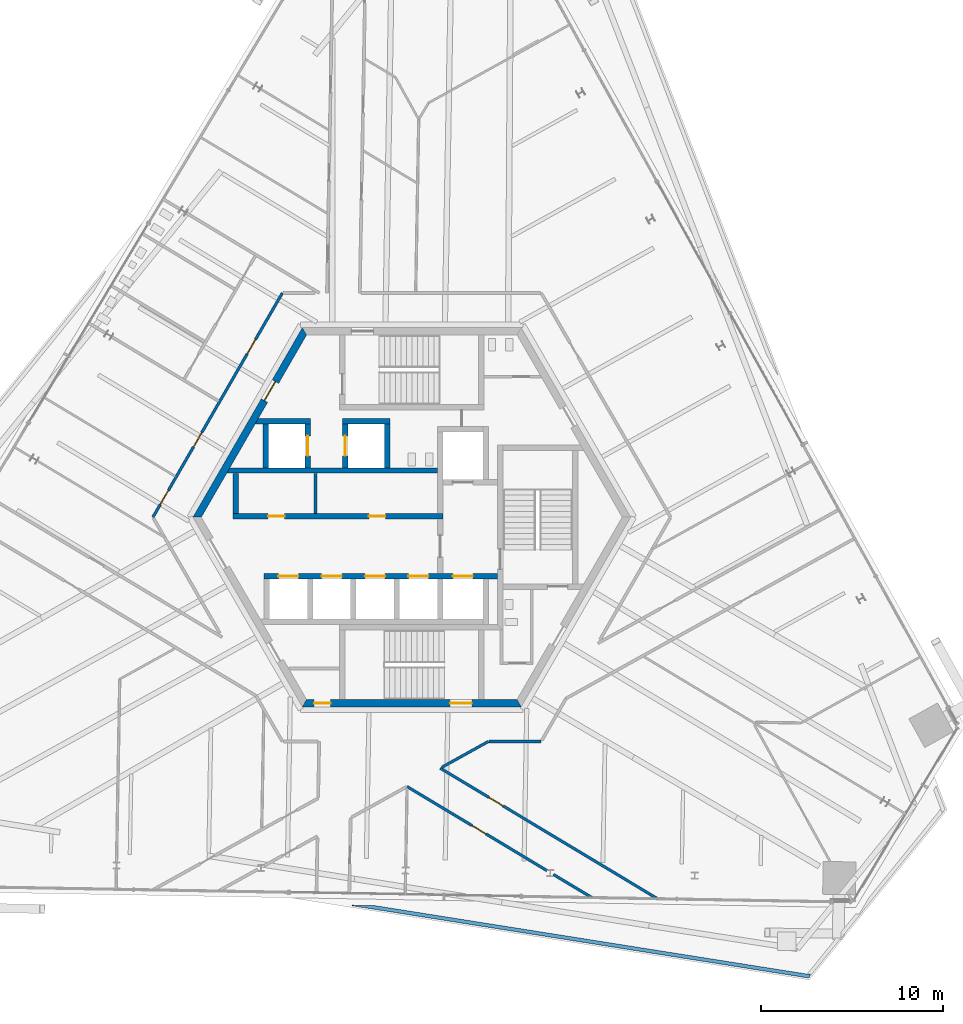
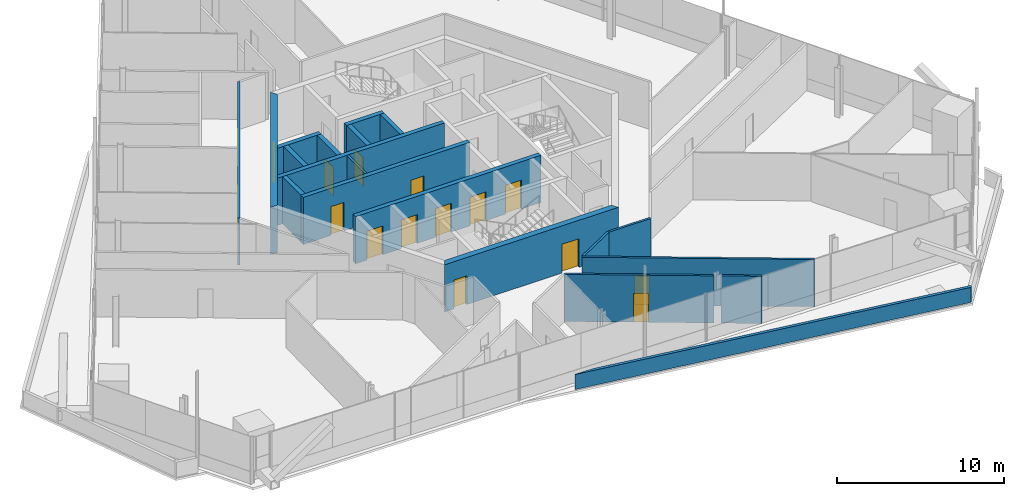
# One storey, part 15 of 22: 20 walls, 17 doors, 17 openings.
"""IFC4 building model written with IfcOpenShell, lengths in metres."""

from ifc_helpers import new_model, si_unit, direction, frame, frame_2d, origin, place, context, subcontext, project, spatial, polyline, rectangle, outline, extrude, source, transform, mapped, material, layer, layer_set, type_object, element, fill, save


model = new_model("IFC4")

# Units and contexts
model_context = context("Model", 3, precision=1e-05, world=origin(), true_north=direction((0.0, 1.0)))
body_context = subcontext(model_context, "Body", "Model", "MODEL_VIEW")
ifc_project = project(units=[si_unit("LENGTHUNIT", "METRE"), si_unit("AREAUNIT", "SQUARE_METRE"), si_unit("VOLUMEUNIT", "CUBIC_METRE"), si_unit("PLANEANGLEUNIT", "RADIAN"), si_unit("MASSUNIT", "GRAM", prefix="KILO")], contexts=[model_context])

# Site, building, storey
site_placement = place(None, origin())
site = spatial("IfcSite", under=ifc_project, at=site_placement, CompositionType="ELEMENT")
building_placement = place(site_placement, origin())
building = spatial("IfcBuilding", under=site, at=building_placement, Name="Triune Harvest Tower", CompositionType="ELEMENT")
storey_placement = place(building_placement, frame((0.0, 0.0, 179.89990234375)))
storey = spatial("IfcBuildingStorey", under=building, at=storey_placement, Name="L46", CompositionType="ELEMENT", Elevation=179.89990234375)

# Wall, opening, door
ifc_material_1 = material(Name="Gypsum board on steel studs", Category="steel")
ifc_layer_1 = layer(ifc_material_1, 0.14990234375)
ifc_layer_set_1 = layer_set([ifc_layer_1], Name="Gypsum board on steel studs")
wall_type_1 = type_object("IfcWallType", Name="Fire Partition 150 mm", PredefinedType="PARTITIONING", material=ifc_layer_set_1)
wall_1_placement = place(storey_placement, frame((-0.2578125, -14.767333984375, 0.0), z_axis=(0.0, 0.0, 1.0), x_axis=(0.857170270936, -0.515033131578, 0.0)))
wall_1 = element("IfcWall", 1, at=wall_1_placement, inside=storey, type_object=wall_type_1, Name="Partition L46 008", PredefinedType="PARTITIONING", context=body_context, shape_type="SweptSolid", body=[
    extrude(rectangle(XDim=8.951171875, YDim=0.14990234375, at=frame_2d((4.4755859375, 0.0))), origin(), (0.0, 0.0, 1.0), 3.440185546875),
])
opening_1_placement = place(wall_1_placement, frame((4.14990234375, 0.0, 0.0)))
opening_1 = element("IfcOpeningElement", 2, at=opening_1_placement, cuts=wall_1, Name="Opening L46-022", PredefinedType="OPENING", context=body_context, shape_type="SweptSolid", body=[
    extrude(rectangle(XDim=0.89990234375, YDim=2.10009765625, at=frame_2d((0.449951171875, 1.050048828125))), frame((0.0, 0.0849609375, 0.0), z_axis=(0.0, -1.0, 0.0), x_axis=(1.0, 0.0, 0.0)), (0.0, 0.0, 1.0), 0.169921875),
])
ifc_material_2 = material(Name="Timber and steel door set", Category="steel")
door_type_1 = type_object("IfcDoorType", Name="Single leaf door FD30 left hand 900 x 2100", OperationType="SINGLE_SWING_LEFT", PredefinedType="DOOR", material=ifc_material_2)
door_1_placement = place(opening_1_placement, origin())
door_1 = element("IfcDoor", 3, at=door_1_placement, inside=storey, type_object=door_type_1, Name="Door L46-022 Dry Store Room 46.22", OperationType="SINGLE_SWING_LEFT", OverallHeight=2.10009765625, OverallWidth=0.89990234375, PredefinedType="DOOR", context=body_context, shape_type="SweptSolid", body=[
    extrude(rectangle(XDim=0.89990234375, YDim=2.10009765625, at=frame_2d((0.449951171875, 1.050048828125))), frame((0.0, 0.02490234375, 0.0), z_axis=(0.0, -1.0, 0.0), x_axis=(1.0, 0.0, 0.0)), (0.0, 0.0, 1.0), 0.050048828125),
])
fill(opening_1, door_1)

# Wall
wall_2_placement = place(storey_placement, frame((7.761962890625, -19.586181640625, 0.0), z_axis=(0.0, 0.0, 1.0), x_axis=(0.857177370327, -0.515021315868, 0.0)))
element("IfcWall", 4, at=wall_2_placement, inside=storey, type_object=wall_type_1, Name="Partition L46 009", PredefinedType="PARTITIONING", context=body_context, shape_type="SweptSolid", body=[
    extrude(rectangle(XDim=2.458740234375, YDim=0.14990234375, at=frame_2d((1.2294921875, 0.0))), origin(), (0.0, 0.0, 1.0), 3.440185546875),
])

# Wall, opening, door
wall_3_placement = place(storey_placement, frame((1.56005859375, -13.759765625, 0.0), z_axis=(0.0, 0.0, 1.0), x_axis=(0.857170249707, -0.515033166909, 0.0)))
wall_3 = element("IfcWall", 5, at=wall_3_placement, inside=storey, type_object=wall_type_1, Name="Partition L46 011", PredefinedType="PARTITIONING", context=body_context, shape_type="SweptSolid", body=[
    extrude(rectangle(XDim=13.893310546875, YDim=0.14990234375, at=frame_2d((6.94677734375, 0.0))), origin(), (0.0, 0.0, 1.0), 3.440185546875),
])
opening_2_placement = place(wall_3_placement, frame((3.125, 0.0, 0.0)))
opening_2 = element("IfcOpeningElement", 6, at=opening_2_placement, cuts=wall_3, Name="Opening L46-023", PredefinedType="OPENING", context=body_context, shape_type="SweptSolid", body=[
    extrude(rectangle(XDim=0.89990234375, YDim=2.10009765625, at=frame_2d((0.449951171875, 1.050048828125))), frame((0.0, 0.0849609375, 0.0), z_axis=(0.0, -1.0, 0.0), x_axis=(1.0, 0.0, 0.0)), (0.0, 0.0, 1.0), 0.169921875),
])
door_2_placement = place(opening_2_placement, origin())
door_2 = element("IfcDoor", 7, at=door_2_placement, inside=storey, type_object=door_type_1, Name="Door L46-023 Open Office 46.23", OperationType="SINGLE_SWING_LEFT", OverallHeight=2.10009765625, OverallWidth=0.89990234375, PredefinedType="DOOR", context=body_context, shape_type="SweptSolid", body=[
    extrude(rectangle(XDim=0.89990234375, YDim=2.10009765625, at=frame_2d((0.449951171875, 1.050048828125))), frame((0.0, 0.02490234375, 0.0), z_axis=(0.0, -1.0, 0.0), x_axis=(1.0, 0.0, 0.0)), (0.0, 0.0, 1.0), 0.050048828125),
])
fill(opening_2, door_2)

# Walls
wall_4_placement = place(storey_placement, frame((4.227294921875, -12.292236328125, 0.0), z_axis=(0.0, 0.0, 1.0), x_axis=(1.0, 0.0, 0.0)))
element("IfcWall", 8, at=wall_4_placement, inside=storey, type_object=wall_type_1, Name="Partition L46 030", PredefinedType="PARTITIONING", context=body_context, shape_type="SweptSolid", body=[
    extrude(rectangle(XDim=2.86962890625, YDim=0.14990234375, at=frame_2d((1.434814453125, 0.0))), origin(), (0.0, 0.0, 1.0), 3.440185546875),
])
wall_5_placement = place(storey_placement, frame((1.656494140625, -13.706298828125, 0.0), z_axis=(0.0, 0.0, 1.0), x_axis=(0.874618829719, 0.484811203152, 0.0)))
element("IfcWall", 9, at=wall_5_placement, inside=storey, type_object=wall_type_1, Name="Partition L46 037", PredefinedType="PARTITIONING", context=body_context, shape_type="SweptSolid", body=[
    extrude(rectangle(XDim=2.916748046875, YDim=0.14990234375, at=frame_2d((1.45849609375, 0.0))), origin(), (0.0, 0.0, 1.0), 3.440185546875),
])

# Wall, openings, doors
wall_6_placement = place(storey_placement, frame((-14.19384765625, 0.0, 0.0), z_axis=(0.0, 0.0, 1.0), x_axis=(0.499992439803, 0.866029768622, 0.0)))
wall_6 = element("IfcWall", 10, at=wall_6_placement, inside=storey, type_object=wall_type_1, Name="Partition L46 048", PredefinedType="PARTITIONING", context=body_context, shape_type="SweptSolid", body=[
    extrude(rectangle(XDim=14.194091796875, YDim=0.14990234375, at=frame_2d((7.09716796875, 0.0))), origin(), (0.0, 0.0, 1.0), 3.440185546875),
])
opening_3_placement = place(wall_6_placement, frame((10.343994140625, 0.0, 0.0)))
opening_3 = element("IfcOpeningElement", 11, at=opening_3_placement, cuts=wall_6, Name="Opening L46-010", PredefinedType="OPENING", context=body_context, shape_type="SweptSolid", body=[
    extrude(rectangle(XDim=0.89990234375, YDim=2.10009765625, at=frame_2d((0.449951171875, 1.050048828125))), frame((0.0, 0.0849609375, 0.0), z_axis=(0.0, -1.0, 0.0), x_axis=(1.0, 0.0, 0.0)), (0.0, 0.0, 1.0), 0.169921875),
])
opening_4_placement = place(wall_6_placement, frame((0.804443359375, 0.0, 0.0)))
opening_4 = element("IfcOpeningElement", 12, at=opening_4_placement, cuts=wall_6, Name="Opening L46-014", PredefinedType="OPENING", context=body_context, shape_type="SweptSolid", body=[
    extrude(rectangle(XDim=0.89990234375, YDim=2.10009765625, at=frame_2d((0.449951171875, 1.050048828125))), frame((0.0, 0.0849609375, 0.0), z_axis=(0.0, -1.0, 0.0), x_axis=(1.0, 0.0, 0.0)), (0.0, 0.0, 1.0), 0.169921875),
])
opening_5_placement = place(wall_6_placement, frame((4.46142578125, 0.0, 0.0)))
opening_5 = element("IfcOpeningElement", 13, at=opening_5_placement, cuts=wall_6, Name="Opening L46-015", PredefinedType="OPENING", context=body_context, shape_type="SweptSolid", body=[
    extrude(rectangle(XDim=0.89990234375, YDim=2.10009765625, at=frame_2d((0.449951171875, 1.050048828125))), frame((0.0, 0.0849609375, 0.0), z_axis=(0.0, -1.0, 0.0), x_axis=(1.0, 0.0, 0.0)), (0.0, 0.0, 1.0), 0.169921875),
])
door_3_placement = place(opening_4_placement, origin())
door_3 = element("IfcDoor", 14, at=door_3_placement, inside=storey, type_object=door_type_1, Name="Door L46-014 Office 46.14", OperationType="SINGLE_SWING_LEFT", OverallHeight=2.10009765625, OverallWidth=0.89990234375, PredefinedType="DOOR", context=body_context, shape_type="SweptSolid", body=[
    extrude(rectangle(XDim=0.89990234375, YDim=2.10009765625, at=frame_2d((0.449951171875, 1.050048828125))), frame((0.0, 0.02490234375, 0.0), z_axis=(0.0, -1.0, 0.0), x_axis=(1.0, 0.0, 0.0)), (0.0, 0.0, 1.0), 0.050048828125),
])
fill(opening_4, door_3)
door_4_placement = place(opening_5_placement, origin())
door_4 = element("IfcDoor", 15, at=door_4_placement, inside=storey, type_object=door_type_1, Name="Door L46-015 Office 46.15", OperationType="SINGLE_SWING_LEFT", OverallHeight=2.10009765625, OverallWidth=0.89990234375, PredefinedType="DOOR", context=body_context, shape_type="SweptSolid", body=[
    extrude(rectangle(XDim=0.89990234375, YDim=2.10009765625, at=frame_2d((0.449951171875, 1.050048828125))), frame((0.0, 0.02490234375, 0.0), z_axis=(0.0, -1.0, 0.0), x_axis=(1.0, 0.0, 0.0)), (0.0, 0.0, 1.0), 0.050048828125),
])
fill(opening_5, door_4)
ifc_material_3 = material(Name="Timber and steel door set", Category="steel")
door_type_2 = type_object("IfcDoorType", Name="Single leaf door FD30 right hand 900 x 2100", OperationType="SINGLE_SWING_RIGHT", PredefinedType="DOOR", material=ifc_material_3)
door_5_placement = place(opening_3_placement, origin())
door_5 = element("IfcDoor", 16, at=door_5_placement, inside=storey, type_object=door_type_2, Name="Door L46-010 WC lobby 46.10", OperationType="SINGLE_SWING_RIGHT", OverallHeight=2.10009765625, OverallWidth=0.89990234375, PredefinedType="DOOR", context=body_context, shape_type="SweptSolid", body=[
    extrude(rectangle(XDim=0.89990234375, YDim=2.10009765625, at=frame_2d((0.449951171875, 1.050048828125))), frame((0.0, 0.02490234375, 0.0), z_axis=(0.0, -1.0, 0.0), x_axis=(1.0, 0.0, 0.0)), (0.0, 0.0, 1.0), 0.050048828125),
])
fill(opening_3, door_5)

# Wall
ifc_material_4 = material(Name="Concrete 40 MPa", Category="concrete")
ifc_layer_2 = layer(ifc_material_4, 0.199951171875)
ifc_layer_set_2 = layer_set([ifc_layer_2], Name="Concrete 40 MPa")
wall_type_2 = type_object("IfcWallType", Name="PA-1 parapet 200", PredefinedType="PARAPET", material=ifc_layer_set_2)
wall_7_placement = place(storey_placement, origin())
element("IfcWall", 17, at=wall_7_placement, inside=storey, type_object=wall_type_2, Name="Parapet wedge L45 3.2", PredefinedType="PARAPET", context=body_context, shape_type="SweptSolid", body=[
    extrude(outline(polyline([(-3.285400390625, -21.299072265625), (-3.282958984375, -21.27294921875), (-2.033203125, -21.294921875), (21.6748046875, -25.0498046875), (21.689453125, -25.031982421875), (21.84912109375, -25.05712890625), (21.830322265625, -25.17578125), (21.7578125, -25.265380859375), (-3.285400390625, -21.299072265625)])), origin(), (0.0, 0.0, 1.0), 1.10009765625),
])

# Wall, opening, door
ifc_material_5 = material(Name="Concrete 70 MPa", Category="concrete")
ifc_layer_3 = layer(ifc_material_5, 0.39990234375)
ifc_layer_set_3 = layer_set([ifc_layer_3], Name="Concrete 70 MPa")
wall_type_3 = type_object("IfcWallType", Name="Core wall 400", PredefinedType="SHEAR", material=ifc_layer_set_3)
shared_shape_1 = source(origin(), body_context, "Body", "SweptSolid", [
    extrude(outline(polyline([(-0.115478515625, -0.199951171875), (11.884521484375, -0.199951171875), (11.653564453125, 0.199951171875), (0.115478515625, 0.199951171875), (-0.115478515625, -0.199951171875)])), origin(), (0.0, 0.0, 1.0), 3.440185546875),
])
wall_8_placement = place(storey_placement, frame((-5.884521484375, 10.1923828125, 0.0), z_axis=(0.0, 0.0, 1.0), x_axis=(-0.499996592174, -0.866027371285, 0.0)))
wall_8 = element("IfcWall", 18, at=wall_8_placement, inside=storey, type_object=wall_type_3, Name="Hexagon 2 wall", PredefinedType="SHEAR", context=body_context, shape_type="MappedRepresentation", body=[
    mapped(shared_shape_1, transform((0.0, 0.0, 0.0), scale=1.0)),
])
opening_6_placement = place(wall_8_placement, frame((3.1845703125, 0.0, 0.0)))
opening_6 = element("IfcOpeningElement", 19, at=opening_6_placement, cuts=wall_8, Name="Opening CD-SVP", PredefinedType="OPENING", context=body_context, shape_type="SweptSolid", body=[
    extrude(rectangle(XDim=1.199951171875, YDim=2.10009765625, at=frame_2d((0.60009765625, 1.050048828125))), frame((0.0, 0.2099609375, 0.0), z_axis=(0.0, -1.0, 0.0), x_axis=(1.0, 0.0, 0.0)), (0.0, 0.0, 1.0), 0.419921875),
])
ifc_material_6 = material(Name="Steel S235", Category="steel")
door_type_3 = type_object("IfcDoorType", Name="Service door 1200 FD120", OperationType="SINGLE_SWING_LEFT", PredefinedType="DOOR", material=ifc_material_6)
door_6_placement = place(opening_6_placement, frame((1.199951171875, 0.0, 0.0), z_axis=(0.0, 0.0, 1.0), x_axis=(-1.0, 0.0, 0.0)))
door_6 = element("IfcDoor", 20, at=door_6_placement, inside=storey, type_object=door_type_3, Name="Door CD-SVP", OperationType="SINGLE_SWING_RIGHT", OverallHeight=2.10009765625, OverallWidth=1.199951171875, PredefinedType="DOOR", context=body_context, shape_type="SweptSolid", body=[
    extrude(rectangle(XDim=1.199951171875, YDim=2.10009765625, at=frame_2d((0.60009765625, 1.050048828125))), frame((0.0, 0.02490234375, 0.0), z_axis=(0.0, -1.0, 0.0), x_axis=(1.0, 0.0, 0.0)), (0.0, 0.0, 1.0), 0.050048828125),
])
fill(opening_6, door_6)

# Wall, openings, doors
wall_9_placement = place(storey_placement, frame((-5.884521484375, -10.1923828125, 0.0), z_axis=(0.0, 0.0, 1.0), x_axis=(1.0, 0.0, 0.0)))
wall_9 = element("IfcWall", 21, at=wall_9_placement, inside=storey, type_object=wall_type_3, Name="Hexagon 4 wall", PredefinedType="SHEAR", context=body_context, shape_type="MappedRepresentation", body=[
    mapped(shared_shape_1, transform((0.0, 0.0, 0.0), scale=1.0)),
])
opening_7_placement = place(wall_9_placement, frame((7.984619140625, 0.0, 0.0)))
opening_7 = element("IfcOpeningElement", 22, at=opening_7_placement, cuts=wall_9, Name="Opening CD-S2P", PredefinedType="OPENING", context=body_context, shape_type="SweptSolid", body=[
    extrude(rectangle(XDim=1.199951171875, YDim=2.10009765625, at=frame_2d((0.60009765625, 1.050048828125))), frame((0.0, 0.2099609375, 0.0), z_axis=(0.0, -1.0, 0.0), x_axis=(1.0, 0.0, 0.0)), (0.0, 0.0, 1.0), 0.419921875),
])
opening_8_placement = place(wall_9_placement, frame((0.534423828125, 0.0, 0.0)))
opening_8 = element("IfcOpeningElement", 23, at=opening_8_placement, cuts=wall_9, Name="Opening CD-SWS", PredefinedType="OPENING", context=body_context, shape_type="SweptSolid", body=[
    extrude(rectangle(XDim=0.89990234375, YDim=2.10009765625, at=frame_2d((0.449951171875, 1.050048828125))), frame((0.0, 0.2099609375, 0.0), z_axis=(0.0, -1.0, 0.0), x_axis=(1.0, 0.0, 0.0)), (0.0, 0.0, 1.0), 0.419921875),
])
ifc_material_7 = material(Name="Steel S235", Category="steel")
door_type_4 = type_object("IfcDoorType", Name="Riser door 900 FD120", OperationType="SINGLE_SWING_LEFT", PredefinedType="DOOR", material=ifc_material_7)
door_7_placement = place(opening_8_placement, frame((0.89990234375, 0.0, 0.0), z_axis=(0.0, 0.0, 1.0), x_axis=(-1.0, 0.0, 0.0)))
door_7 = element("IfcDoor", 24, at=door_7_placement, inside=storey, type_object=door_type_4, Name="Door CD-SWS", OperationType="SINGLE_SWING_RIGHT", OverallHeight=2.10009765625, OverallWidth=0.89990234375, PredefinedType="DOOR", context=body_context, shape_type="SweptSolid", body=[
    extrude(rectangle(XDim=0.89990234375, YDim=2.10009765625, at=frame_2d((0.449951171875, 1.050048828125))), frame((0.0, 0.02490234375, 0.0), z_axis=(0.0, -1.0, 0.0), x_axis=(1.0, 0.0, 0.0)), (0.0, 0.0, 1.0), 0.050048828125),
])
fill(opening_8, door_7)
ifc_material_8 = material(Name="Steel S235", Category="steel")
door_type_5 = type_object("IfcDoorType", Name="Stair door 1200 FD120", OperationType="SINGLE_SWING_LEFT", PredefinedType="DOOR", material=ifc_material_8)
door_8_placement = place(opening_7_placement, frame((1.199951171875, 0.0, 0.0), z_axis=(0.0, 0.0, 1.0), x_axis=(-1.0, 0.0, 0.0)))
door_8 = element("IfcDoor", 25, at=door_8_placement, inside=storey, type_object=door_type_5, Name="Door CD-S2P", OperationType="SINGLE_SWING_RIGHT", OverallHeight=2.10009765625, OverallWidth=1.199951171875, PredefinedType="DOOR", context=body_context, shape_type="SweptSolid", body=[
    extrude(rectangle(XDim=1.199951171875, YDim=2.10009765625, at=frame_2d((0.60009765625, 1.050048828125))), frame((0.0, 0.02490234375, 0.0), z_axis=(0.0, -1.0, 0.0), x_axis=(1.0, 0.0, 0.0)), (0.0, 0.0, 1.0), 0.050048828125),
])
fill(opening_7, door_8)

ifc_material_9 = material(Name="Concrete 70 MPa", Category="concrete")
ifc_layer_4 = layer(ifc_material_9, 0.300048828125)
ifc_layer_set_4 = layer_set([ifc_layer_4], Name="Concrete 70 MPa")
wall_type_4 = type_object("IfcWallType", Name="Core wall 300", PredefinedType="SHEAR", material=ifc_layer_set_4)
shared_shape_2 = source(origin(), body_context, "Body", "SweptSolid", [
    extrude(rectangle(XDim=11.5, YDim=0.300048828125, at=frame_2d((5.75, 0.0))), origin(), (0.0, 0.0, 1.0), 3.440185546875),
])
wall_10_placement = place(storey_placement, frame((-9.800048828125, 0.06005859375, 0.0), z_axis=(0.0, 0.0, 1.0), x_axis=(1.0, 0.0, 0.0)))
wall_10 = element("IfcWall", 26, at=wall_10_placement, inside=storey, type_object=wall_type_4, Name="North front wall", PredefinedType="SHEAR", context=body_context, shape_type="MappedRepresentation", body=[
    mapped(shared_shape_2, transform((0.0, 0.0, 0.0), scale=1.0)),
])
opening_9_placement = place(wall_10_placement, frame((1.922607421875, 0.0, 0.0)))
opening_9 = element("IfcOpeningElement", 27, at=opening_9_placement, cuts=wall_10, Name="Opening CD-RN1", PredefinedType="OPENING", context=body_context, shape_type="SweptSolid", body=[
    extrude(rectangle(XDim=0.89990234375, YDim=2.10009765625, at=frame_2d((0.449951171875, 1.050048828125))), frame((0.0, 0.16015625, 0.0), z_axis=(0.0, -1.0, 0.0), x_axis=(1.0, 0.0, 0.0)), (0.0, 0.0, 1.0), 0.320068359375),
])
opening_10_placement = place(wall_10_placement, frame((7.447509765625, 0.0, 0.0)))
opening_10 = element("IfcOpeningElement", 28, at=opening_10_placement, cuts=wall_10, Name="Opening CD-RN2", PredefinedType="OPENING", context=body_context, shape_type="SweptSolid", body=[
    extrude(rectangle(XDim=0.89990234375, YDim=2.10009765625, at=frame_2d((0.449951171875, 1.050048828125))), frame((0.0, 0.16015625, 0.0), z_axis=(0.0, -1.0, 0.0), x_axis=(1.0, 0.0, 0.0)), (0.0, 0.0, 1.0), 0.320068359375),
])
door_9_placement = place(opening_9_placement, frame((0.89990234375, 0.0, 0.0), z_axis=(0.0, 0.0, 1.0), x_axis=(-1.0, 0.0, 0.0)))
door_9 = element("IfcDoor", 29, at=door_9_placement, inside=storey, type_object=door_type_4, Name="Door CD-RN1", OperationType="SINGLE_SWING_RIGHT", OverallHeight=2.10009765625, OverallWidth=0.89990234375, PredefinedType="DOOR", context=body_context, shape_type="SweptSolid", body=[
    extrude(rectangle(XDim=0.89990234375, YDim=2.10009765625, at=frame_2d((0.449951171875, 1.050048828125))), frame((0.0, 0.02490234375, 0.0), z_axis=(0.0, -1.0, 0.0), x_axis=(1.0, 0.0, 0.0)), (0.0, 0.0, 1.0), 0.050048828125),
])
fill(opening_9, door_9)
door_10_placement = place(opening_10_placement, frame((0.89990234375, 0.0, 0.0), z_axis=(0.0, 0.0, 1.0), x_axis=(-1.0, 0.0, 0.0)))
door_10 = element("IfcDoor", 30, at=door_10_placement, inside=storey, type_object=door_type_4, Name="Door CD-RN2", OperationType="SINGLE_SWING_RIGHT", OverallHeight=2.10009765625, OverallWidth=0.89990234375, PredefinedType="DOOR", context=body_context, shape_type="SweptSolid", body=[
    extrude(rectangle(XDim=0.89990234375, YDim=2.10009765625, at=frame_2d((0.449951171875, 1.050048828125))), frame((0.0, 0.02490234375, 0.0), z_axis=(0.0, -1.0, 0.0), x_axis=(1.0, 0.0, 0.0)), (0.0, 0.0, 1.0), 0.050048828125),
])
fill(opening_10, door_10)

# Wall
shared_shape_3 = source(origin(), body_context, "Body", "SweptSolid", [
    extrude(outline(polyline([(11.199951171875, -0.14990234375), (-0.34912109375, -0.14990234375), (-0.17578125, 0.14990234375), (11.199951171875, 0.14990234375), (11.199951171875, -0.14990234375)])), origin(), (0.0, 0.0, 1.0), 3.440185546875),
])
wall_11_placement = place(storey_placement, frame((-9.800048828125, 2.56005859375, 0.0), z_axis=(0.0, 0.0, 1.0), x_axis=(1.0, 0.0, 0.0)))
element("IfcWall", 31, at=wall_11_placement, inside=storey, type_object=wall_type_4, Name="North back wall", PredefinedType="SHEAR", context=body_context, shape_type="MappedRepresentation", body=[
    mapped(shared_shape_3, transform((0.0, 0.0, 0.0), scale=1.0)),
])

# Wall, openings, doors
shared_shape_4 = source(origin(), body_context, "Body", "SweptSolid", [
    extrude(rectangle(XDim=12.800048828125, YDim=0.300048828125, at=frame_2d((6.39990234375, 0.0))), origin(), (0.0, 0.0, 1.0), 3.440185546875),
])
wall_12_placement = place(storey_placement, frame((-8.10009765625, -3.239990234375, 0.0), z_axis=(0.0, 0.0, 1.0), x_axis=(1.0, 0.0, 0.0)))
wall_12 = element("IfcWall", 32, at=wall_12_placement, inside=storey, type_object=wall_type_4, Name="South front wall", PredefinedType="SHEAR", context=body_context, shape_type="MappedRepresentation", body=[
    mapped(shared_shape_4, transform((0.0, 0.0, 0.0), scale=1.0)),
])
opening_11_placement = place(wall_12_placement, frame((0.78759765625, 0.0, 0.0)))
opening_11 = element("IfcOpeningElement", 33, at=opening_11_placement, cuts=wall_12, Name="Opening LD-HR1-46", PredefinedType="OPENING", context=body_context, shape_type="SweptSolid", body=[
    extrude(rectangle(XDim=1.10009765625, YDim=2.10009765625, at=frame_2d((0.550048828125, 1.050048828125))), frame((0.0, 0.16015625, 0.0), z_axis=(0.0, -1.0, 0.0), x_axis=(1.0, 0.0, 0.0)), (0.0, 0.0, 1.0), 0.320068359375),
])
opening_12_placement = place(wall_12_placement, frame((3.16259765625, 0.0, 0.0)))
opening_12 = element("IfcOpeningElement", 34, at=opening_12_placement, cuts=wall_12, Name="Opening LD-HR2-46", PredefinedType="OPENING", context=body_context, shape_type="SweptSolid", body=[
    extrude(rectangle(XDim=1.10009765625, YDim=2.10009765625, at=frame_2d((0.550048828125, 1.050048828125))), frame((0.0, 0.16015625, 0.0), z_axis=(0.0, -1.0, 0.0), x_axis=(1.0, 0.0, 0.0)), (0.0, 0.0, 1.0), 0.320068359375),
])
opening_13_placement = place(wall_12_placement, frame((5.53759765625, 0.0, 0.0)))
opening_13 = element("IfcOpeningElement", 35, at=opening_13_placement, cuts=wall_12, Name="Opening LD-HR3-46", PredefinedType="OPENING", context=body_context, shape_type="SweptSolid", body=[
    extrude(rectangle(XDim=1.10009765625, YDim=2.10009765625, at=frame_2d((0.550048828125, 1.050048828125))), frame((0.0, 0.16015625, 0.0), z_axis=(0.0, -1.0, 0.0), x_axis=(1.0, 0.0, 0.0)), (0.0, 0.0, 1.0), 0.320068359375),
])
opening_14_placement = place(wall_12_placement, frame((7.91259765625, 0.0, 0.0)))
opening_14 = element("IfcOpeningElement", 36, at=opening_14_placement, cuts=wall_12, Name="Opening LD-HR4-46", PredefinedType="OPENING", context=body_context, shape_type="SweptSolid", body=[
    extrude(rectangle(XDim=1.10009765625, YDim=2.10009765625, at=frame_2d((0.550048828125, 1.050048828125))), frame((0.0, 0.16015625, 0.0), z_axis=(0.0, -1.0, 0.0), x_axis=(1.0, 0.0, 0.0)), (0.0, 0.0, 1.0), 0.320068359375),
])
opening_15_placement = place(wall_12_placement, frame((10.35009765625, 0.0, 0.0)))
opening_15 = element("IfcOpeningElement", 37, at=opening_15_placement, cuts=wall_12, Name="Opening LD-FF2-46", PredefinedType="OPENING", context=body_context, shape_type="SweptSolid", body=[
    extrude(rectangle(XDim=1.10009765625, YDim=2.10009765625, at=frame_2d((0.550048828125, 1.050048828125))), frame((0.0, 0.16015625, 0.0), z_axis=(0.0, -1.0, 0.0), x_axis=(1.0, 0.0, 0.0)), (0.0, 0.0, 1.0), 0.320068359375),
])
ifc_material_10 = material(Name="Stainless steel AISI 304", Category="steel")
door_type_6 = type_object("IfcDoorType", Name="Landing door 1100 x 2100", OperationType="DOUBLE_DOOR_SLIDING", PredefinedType="DOOR", material=ifc_material_10)
door_11_placement = place(opening_11_placement, origin())
door_11 = element("IfcDoor", 38, at=door_11_placement, inside=storey, type_object=door_type_6, Name="Door LD-HR1-46", OperationType="DOUBLE_DOOR_SLIDING", OverallHeight=2.10009765625, OverallWidth=1.10009765625, PredefinedType="DOOR", context=body_context, shape_type="SweptSolid", body=[
    extrude(rectangle(XDim=1.10009765625, YDim=2.10009765625, at=frame_2d((0.550048828125, 1.050048828125))), frame((0.0, 0.02490234375, 0.0), z_axis=(0.0, -1.0, 0.0), x_axis=(1.0, 0.0, 0.0)), (0.0, 0.0, 1.0), 0.050048828125),
])
fill(opening_11, door_11)
door_12_placement = place(opening_12_placement, origin())
door_12 = element("IfcDoor", 39, at=door_12_placement, inside=storey, type_object=door_type_6, Name="Door LD-HR2-46", OperationType="DOUBLE_DOOR_SLIDING", OverallHeight=2.10009765625, OverallWidth=1.10009765625, PredefinedType="DOOR", context=body_context, shape_type="SweptSolid", body=[
    extrude(rectangle(XDim=1.10009765625, YDim=2.10009765625, at=frame_2d((0.550048828125, 1.050048828125))), frame((0.0, 0.02490234375, 0.0), z_axis=(0.0, -1.0, 0.0), x_axis=(1.0, 0.0, 0.0)), (0.0, 0.0, 1.0), 0.050048828125),
])
fill(opening_12, door_12)
door_13_placement = place(opening_13_placement, origin())
door_13 = element("IfcDoor", 40, at=door_13_placement, inside=storey, type_object=door_type_6, Name="Door LD-HR3-46", OperationType="DOUBLE_DOOR_SLIDING", OverallHeight=2.10009765625, OverallWidth=1.10009765625, PredefinedType="DOOR", context=body_context, shape_type="SweptSolid", body=[
    extrude(rectangle(XDim=1.10009765625, YDim=2.10009765625, at=frame_2d((0.550048828125, 1.050048828125))), frame((0.0, 0.02490234375, 0.0), z_axis=(0.0, -1.0, 0.0), x_axis=(1.0, 0.0, 0.0)), (0.0, 0.0, 1.0), 0.050048828125),
])
fill(opening_13, door_13)
door_14_placement = place(opening_14_placement, origin())
door_14 = element("IfcDoor", 41, at=door_14_placement, inside=storey, type_object=door_type_6, Name="Door LD-HR4-46", OperationType="DOUBLE_DOOR_SLIDING", OverallHeight=2.10009765625, OverallWidth=1.10009765625, PredefinedType="DOOR", context=body_context, shape_type="SweptSolid", body=[
    extrude(rectangle(XDim=1.10009765625, YDim=2.10009765625, at=frame_2d((0.550048828125, 1.050048828125))), frame((0.0, 0.02490234375, 0.0), z_axis=(0.0, -1.0, 0.0), x_axis=(1.0, 0.0, 0.0)), (0.0, 0.0, 1.0), 0.050048828125),
])
fill(opening_14, door_14)
door_15_placement = place(opening_15_placement, origin())
door_15 = element("IfcDoor", 42, at=door_15_placement, inside=storey, type_object=door_type_6, Name="Door LD-FF2-46", OperationType="DOUBLE_DOOR_SLIDING", OverallHeight=2.10009765625, OverallWidth=1.10009765625, PredefinedType="DOOR", context=body_context, shape_type="SweptSolid", body=[
    extrude(rectangle(XDim=1.10009765625, YDim=2.10009765625, at=frame_2d((0.550048828125, 1.050048828125))), frame((0.0, 0.02490234375, 0.0), z_axis=(0.0, -1.0, 0.0), x_axis=(1.0, 0.0, 0.0)), (0.0, 0.0, 1.0), 0.050048828125),
])
fill(opening_15, door_15)

# Walls
shared_shape_5 = source(origin(), body_context, "Body", "SweptSolid", [
    extrude(rectangle(XDim=2.199951171875, YDim=0.300048828125, at=frame_2d((1.10009765625, 0.0))), origin(), (0.0, 0.0, 1.0), 3.440185546875),
])
wall_13_placement = place(storey_placement, frame((-9.64990234375, 0.2099609375, 0.0), z_axis=(0.0, 0.0, 1.0), x_axis=(0.0, 1.0, 0.0)))
element("IfcWall", 43, at=wall_13_placement, inside=storey, type_object=wall_type_4, Name="North end west wall", PredefinedType="SHEAR", context=body_context, shape_type="MappedRepresentation", body=[
    mapped(shared_shape_5, transform((0.0, 0.0, 0.0), scale=1.0)),
])
shared_shape_6 = source(origin(), body_context, "Body", "SweptSolid", [
    extrude(outline(polyline([(2.60009765625, -0.14990234375), (-0.440185546875, -0.14990234375), (-0.26708984375, 0.14990234375), (2.60009765625, 0.14990234375), (2.60009765625, -0.14990234375)])), origin(), (0.0, 0.0, 1.0), 3.440185546875),
])
wall_14_placement = place(storey_placement, frame((-8.14990234375, 5.260009765625, 0.0), z_axis=(0.0, 0.0, 1.0), x_axis=(1.0, 0.0, 0.0)))
element("IfcWall", 44, at=wall_14_placement, inside=storey, type_object=wall_type_4, Name="Sv1 north wall", PredefinedType="SHEAR", context=body_context, shape_type="MappedRepresentation", body=[
    mapped(shared_shape_6, transform((0.0, 0.0, 0.0), scale=1.0)),
])
shared_shape_7 = source(origin(), body_context, "Body", "SweptSolid", [
    extrude(rectangle(XDim=2.400146484375, YDim=0.300048828125, at=frame_2d((1.2001953125, 0.0))), origin(), (0.0, 0.0, 1.0), 3.440185546875),
])
wall_15_placement = place(storey_placement, frame((-8.0, 2.7099609375, 0.0), z_axis=(0.0, 0.0, 1.0), x_axis=(0.0, 1.0, 0.0)))
element("IfcWall", 45, at=wall_15_placement, inside=storey, type_object=wall_type_4, Name="Sv1 west wall", PredefinedType="SHEAR", context=body_context, shape_type="MappedRepresentation", body=[
    mapped(shared_shape_7, transform((0.0, 0.0, 0.0), scale=1.0)),
])

# Wall, opening, door
wall_16_placement = place(storey_placement, frame((-5.699951171875, 2.7099609375, 0.0), z_axis=(0.0, 0.0, 1.0), x_axis=(0.0, 1.0, 0.0)))
wall_16 = element("IfcWall", 46, at=wall_16_placement, inside=storey, type_object=wall_type_4, Name="Sv1 east wall", PredefinedType="SHEAR", context=body_context, shape_type="MappedRepresentation", body=[
    mapped(shared_shape_7, transform((0.0, 0.0, 0.0), scale=1.0)),
])
opening_16_placement = place(wall_16_placement, frame((0.64990234375, 0.0, 0.0)))
opening_16 = element("IfcOpeningElement", 47, at=opening_16_placement, cuts=wall_16, Name="Opening LD-SV1-46", PredefinedType="OPENING", context=body_context, shape_type="SweptSolid", body=[
    extrude(rectangle(XDim=1.10009765625, YDim=2.10009765625, at=frame_2d((0.550048828125, 1.050048828125))), frame((0.0, 0.16015625, 0.0), z_axis=(0.0, -1.0, 0.0), x_axis=(1.0, 0.0, 0.0)), (0.0, 0.0, 1.0), 0.320068359375),
])
door_16_placement = place(opening_16_placement, origin())
door_16 = element("IfcDoor", 48, at=door_16_placement, inside=storey, type_object=door_type_6, Name="Door LD-SV1-46", OperationType="DOUBLE_DOOR_SLIDING", OverallHeight=2.10009765625, OverallWidth=1.10009765625, PredefinedType="DOOR", context=body_context, shape_type="SweptSolid", body=[
    extrude(rectangle(XDim=1.10009765625, YDim=2.10009765625, at=frame_2d((0.550048828125, 1.050048828125))), frame((0.0, 0.02490234375, 0.0), z_axis=(0.0, -1.0, 0.0), x_axis=(1.0, 0.0, 0.0)), (0.0, 0.0, 1.0), 0.050048828125),
])
fill(opening_16, door_16)

wall_17_placement = place(storey_placement, frame((-3.64990234375, 2.7099609375, 0.0), z_axis=(0.0, 0.0, 1.0), x_axis=(0.0, 1.0, 0.0)))
wall_17 = element("IfcWall", 49, at=wall_17_placement, inside=storey, type_object=wall_type_4, Name="Sv2 west wall", PredefinedType="SHEAR", context=body_context, shape_type="MappedRepresentation", body=[
    mapped(shared_shape_7, transform((0.0, 0.0, 0.0), scale=1.0)),
])
opening_17_placement = place(wall_17_placement, frame((0.64990234375, 0.0, 0.0)))
opening_17 = element("IfcOpeningElement", 50, at=opening_17_placement, cuts=wall_17, Name="Opening LD-SV2-46", PredefinedType="OPENING", context=body_context, shape_type="SweptSolid", body=[
    extrude(rectangle(XDim=1.10009765625, YDim=2.10009765625, at=frame_2d((0.550048828125, 1.050048828125))), frame((0.0, 0.16015625, 0.0), z_axis=(0.0, -1.0, 0.0), x_axis=(1.0, 0.0, 0.0)), (0.0, 0.0, 1.0), 0.320068359375),
])
door_17_placement = place(opening_17_placement, origin())
door_17 = element("IfcDoor", 51, at=door_17_placement, inside=storey, type_object=door_type_6, Name="Door LD-SV2-46", OperationType="DOUBLE_DOOR_SLIDING", OverallHeight=2.10009765625, OverallWidth=1.10009765625, PredefinedType="DOOR", context=body_context, shape_type="SweptSolid", body=[
    extrude(rectangle(XDim=1.10009765625, YDim=2.10009765625, at=frame_2d((0.550048828125, 1.050048828125))), frame((0.0, 0.02490234375, 0.0), z_axis=(0.0, -1.0, 0.0), x_axis=(1.0, 0.0, 0.0)), (0.0, 0.0, 1.0), 0.050048828125),
])
fill(opening_17, door_17)

# Walls
wall_18_placement = place(storey_placement, frame((-1.35009765625, 2.7099609375, 0.0), z_axis=(0.0, 0.0, 1.0), x_axis=(0.0, 1.0, 0.0)))
element("IfcWall", 52, at=wall_18_placement, inside=storey, type_object=wall_type_4, Name="Sv2 east wall", PredefinedType="SHEAR", context=body_context, shape_type="MappedRepresentation", body=[
    mapped(shared_shape_7, transform((0.0, 0.0, 0.0), scale=1.0)),
])
shared_shape_8 = source(origin(), body_context, "Body", "SweptSolid", [
    extrude(rectangle(XDim=2.60009765625, YDim=0.300048828125, at=frame_2d((1.300048828125, 0.0))), origin(), (0.0, 0.0, 1.0), 3.440185546875),
])
wall_19_placement = place(storey_placement, frame((-3.800048828125, 5.260009765625, 0.0), z_axis=(0.0, 0.0, 1.0), x_axis=(1.0, 0.0, 0.0)))
element("IfcWall", 53, at=wall_19_placement, inside=storey, type_object=wall_type_4, Name="Sv2 north wall", PredefinedType="SHEAR", context=body_context, shape_type="MappedRepresentation", body=[
    mapped(shared_shape_8, transform((0.0, 0.0, 0.0), scale=1.0)),
])
ifc_material_11 = material(Name="Concrete masonry unit", Category="masonry")
ifc_layer_5 = layer(ifc_material_11, 0.14990234375)
ifc_layer_set_5 = layer_set([ifc_layer_5], Name="Concrete masonry unit")
wall_type_5 = type_object("IfcWallType", Name="Block partition 150", PredefinedType="PARTITIONING", material=ifc_layer_set_5)
shared_shape_9 = source(origin(), body_context, "Body", "SweptSolid", [
    extrude(rectangle(XDim=2.199951171875, YDim=0.14990234375, at=frame_2d((1.10009765625, 0.0))), origin(), (0.0, 0.0, 1.0), 3.440185546875),
])
wall_20_placement = place(storey_placement, frame((-5.280029296875, 0.2099609375, 0.0), z_axis=(0.0, 0.0, 1.0), x_axis=(0.0, 1.0, 0.0)))
element("IfcWall", 54, at=wall_20_placement, inside=storey, type_object=wall_type_5, Name="Row n part 1 wall", PredefinedType="PARTITIONING", context=body_context, shape_type="MappedRepresentation", body=[
    mapped(shared_shape_9, transform((0.0, 0.0, 0.0), scale=1.0)),
])

save(model, "model.ifc")
